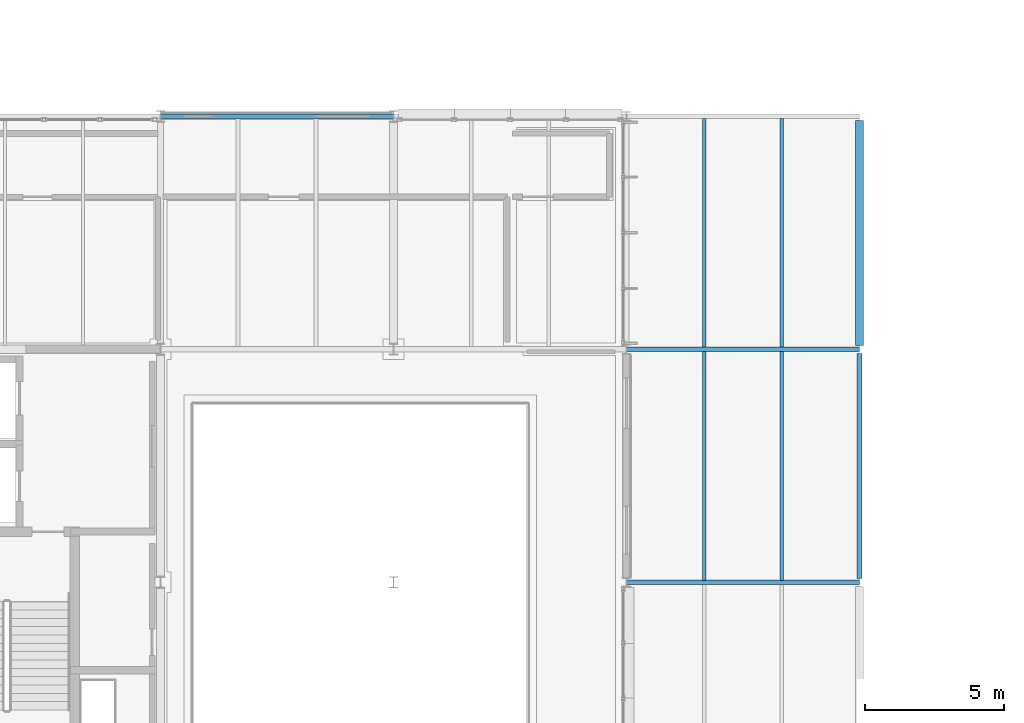
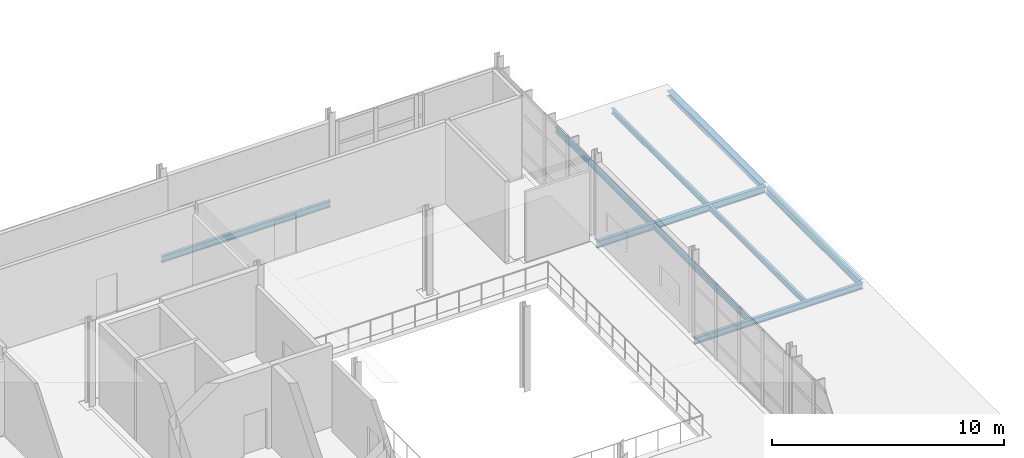
# One storey, part 62 of 129: 9 beams.
"""IFC4 building model written with IfcOpenShell, lengths in metres."""

import ifcopenshell
import ifcopenshell.guid

model = None  # the IFC model being written
_history = None  # IfcOwnerHistory: only IFC2X3 demands one
_inside = {}  # id of a spatial element -> (the spatial element, [elements in it])
_under = {}  # id of a project, library or spatial element -> (it, [spatial elements below it])
_declared = {}  # id of a project -> (the project, [libraries it declares])
_typed = {}  # id of a type object -> (the type object, [elements of that type])
_made_of = {}  # id of a material, layer set ... -> (it, [elements and type objects made of it])


def new_model(schema):
    """Start an empty IFC model of exactly this schema.

    Asked for "IFC4X3", IfcOpenShell would pick the latest addendum, in which some entities
    have other attributes; the version numbers below select the first issue.
    IFC2X3 requires an IfcOwnerHistory on every rooted entity: one is made here for all.
    """
    global model, _history
    if schema == "IFC4X3":
        model = ifcopenshell.file(schema_version=(4, 3, 0, 0))
    else:
        model = ifcopenshell.file(schema=schema)
    _inside.clear()
    _under.clear()
    _declared.clear()
    _typed.clear()
    _made_of.clear()
    _history = None
    if model.schema == "IFC2X3":
        org = make("IfcOrganization", Name="unknown")
        user = make(
            "IfcPersonAndOrganization",
            ThePerson=make("IfcPerson", FamilyName="unknown"),
            TheOrganization=org,
        )
        app = make(
            "IfcApplication",
            ApplicationDeveloper=org,
            Version="unknown",
            ApplicationFullName="unknown",
            ApplicationIdentifier="unknown",
        )
        _history = make(
            "IfcOwnerHistory",
            OwningUser=user,
            OwningApplication=app,
            ChangeAction="ADDED",
            CreationDate=0,
        )
    return model


def make(cls, **values):
    """One entity of the class cls with the attributes given. An attribute that is None is left unset."""
    return model.create_entity(
        cls, **{name: value for name, value in values.items() if value is not None}
    )


def rooted(cls, **values):
    """An entity with a GlobalId (a new one), such as an element, a storey or a relation."""
    return make(cls, GlobalId=ifcopenshell.guid.new(), OwnerHistory=_history, **values)


def si_unit(unit_type, name, prefix=None):
    """IfcSIUnit, for example si_unit("LENGTHUNIT", "METRE", prefix="MILLI")."""
    return make("IfcSIUnit", UnitType=unit_type, Prefix=prefix, Name=name)


def assignment(units):
    """IfcUnitAssignment: the units of a project."""
    return None if units is None else make("IfcUnitAssignment", Units=units)


def point(xyz):
    """IfcCartesianPoint."""
    return None if xyz is None else make("IfcCartesianPoint", Coordinates=xyz)


def direction(xyz):
    """IfcDirection."""
    return None if xyz is None else make("IfcDirection", DirectionRatios=xyz)


def frame(location, z_axis=None, x_axis=None):
    """IfcAxis2Placement3D, a coordinate frame: its origin and axes. An axis left out is left unset."""
    return make(
        "IfcAxis2Placement3D",
        Location=point(location),
        Axis=direction(z_axis),
        RefDirection=direction(x_axis),
    )


def frame_2d(location, x_axis=None):
    """IfcAxis2Placement2D, a coordinate frame in the plane: its origin and x axis."""
    return make(
        "IfcAxis2Placement2D", Location=point(location), RefDirection=direction(x_axis)
    )


def origin():
    """The frame at (0, 0, 0) with its axes left unset."""
    return frame((0.0, 0.0, 0.0))


def origin_2d():
    """The frame at (0, 0) in the plane with its x axis left unset."""
    return frame_2d((0.0, 0.0))


def place(relative_to, where):
    """IfcLocalPlacement: puts the frame where relative to a parent placement (None: the world)."""
    return make(
        "IfcLocalPlacement", PlacementRelTo=relative_to, RelativePlacement=where
    )


def context(
    kind, dimensions, precision=None, world=None, true_north=None, identifier=None
):
    """IfcGeometricRepresentationContext, for example the 3D "Model" context."""
    return make(
        "IfcGeometricRepresentationContext",
        ContextIdentifier=identifier,
        ContextType=kind,
        CoordinateSpaceDimension=dimensions,
        Precision=precision,
        WorldCoordinateSystem=world,
        TrueNorth=true_north,
    )


def subcontext(parent, identifier, kind, view, scale=None):
    """IfcGeometricRepresentationSubContext, for example "Body" below "Model"."""
    return make(
        "IfcGeometricRepresentationSubContext",
        ContextIdentifier=identifier,
        ContextType=kind,
        ParentContext=parent,
        TargetScale=scale,
        TargetView=view,
    )


def project(units=None, contexts=None):
    """IfcProject with its units and contexts."""
    return rooted(
        "IfcProject",
        Name="project",
        RepresentationContexts=contexts,
        UnitsInContext=assignment(units),
    )


def spatial(cls, under=None, at=None, **own):
    """A site, building, storey or space (cls), placed at a placement, below another one or the project."""
    s = rooted(cls, ObjectPlacement=at, **own)
    if under is not None:
        _under.setdefault(under.id(), (under, []))[1].append(s)
    return s


def profile(cls, at=None, kind="AREA", **sizes):
    """A parametric profile (cls). Its sizes go by their IFC names, for example OverallWidth=200.0."""
    return make(cls, ProfileType=kind, Position=at, **sizes)


def i_section(**sizes):
    """IfcIShapeProfileDef."""
    return profile("IfcIShapeProfileDef", **sizes)


def extrude(swept, where, along, depth):
    """IfcExtrudedAreaSolid: the profile swept, set in the frame where, extruded along a direction by depth."""
    return make(
        "IfcExtrudedAreaSolid",
        SweptArea=swept,
        Position=where,
        ExtrudedDirection=direction(along),
        Depth=depth,
    )


def shape(context_of_items, identifier, shape_type, items):
    """IfcShapeRepresentation: the items that make up one representation, for example the "Body"."""
    return make(
        "IfcShapeRepresentation",
        ContextOfItems=context_of_items,
        RepresentationIdentifier=identifier,
        RepresentationType=shape_type,
        Items=items,
    )


def material(Name=None, Category=None):
    """IfcMaterial."""
    return make("IfcMaterial", Name=Name, Category=Category)


def material_profile(
    of_material, cross_section, Name=None, Category=None, Priority=None
):
    """IfcMaterialProfile: a cross section and its material."""
    return make(
        "IfcMaterialProfile",
        Name=Name,
        Material=of_material,
        Profile=cross_section,
        Priority=Priority,
        Category=Category,
    )


def profile_set(profiles, Name=None, composite=None):
    """IfcMaterialProfileSet."""
    return make(
        "IfcMaterialProfileSet",
        Name=Name,
        MaterialProfiles=profiles,
        CompositeProfile=composite,
    )


def made_of(thing, what):
    """Note that an element or type object is made of a material, layer set ...; save() writes the relation."""
    if what is not None:
        _made_of.setdefault(what.id(), (what, []))[1].append(thing)
    return thing


def type_object(cls, material=None, **own):
    """A type object (cls), such as IfcWallType, which elements share."""
    return made_of(rooted(cls, **own), material)


def element(
    cls,
    number,
    at=None,
    inside=None,
    cuts=None,
    type_object=None,
    material=None,
    context=None,
    identifier="Body",
    shape_type=None,
    held_by="IfcProductDefinitionShape",
    body=None,
    shapes=None,
    **own,
):
    """One element of the class cls, such as IfcWall. Its Tag is "e" and its number.

    at: its placement. inside: the storey or other place that contains it. cuts: it is an
    opening in that element (IfcRelVoidsElement). A single representation is given by context,
    identifier, shape_type and body (its items); several are given by shapes. held_by: the class
    of the entity that holds the representations. save() writes the other relations.
    """
    e = rooted(cls, Tag="e%d" % number, ObjectPlacement=at, **own)
    if body is not None:
        shapes = [shape(context, identifier, shape_type, body)]
    if shapes is not None:
        e.Representation = make(held_by, Representations=shapes)
    if inside is not None:
        _inside.setdefault(inside.id(), (inside, []))[1].append(e)
    if cuts is not None:
        rooted(
            "IfcRelVoidsElement", RelatingBuildingElement=cuts, RelatedOpeningElement=e
        )
    if type_object is not None:
        _typed.setdefault(type_object.id(), (type_object, []))[1].append(e)
    return made_of(e, material)


def aggregate(whole, parts):
    """IfcRelAggregates: a whole, such as a stair, and the parts it consists of."""
    return rooted("IfcRelAggregates", RelatingObject=whole, RelatedObjects=parts)


def save(model, path):
    """Write the relations noted so far, then the file.

    IfcRelAggregates (storeys below a building ...), IfcRelContainedInSpatialStructure (elements
    in a storey), IfcRelDefinesByType, IfcRelAssociatesMaterial and IfcRelDeclares: one each for
    every whole, place, type object, material and project.
    """
    for whole, parts in _under.values():
        aggregate(whole, parts)
    for where, things in _inside.values():
        rooted(
            "IfcRelContainedInSpatialStructure",
            RelatedElements=things,
            RelatingStructure=where,
        )
    for kind, things in _typed.values():
        rooted("IfcRelDefinesByType", RelatedObjects=things, RelatingType=kind)
    for what, things in _made_of.values():
        rooted("IfcRelAssociatesMaterial", RelatedObjects=things, RelatingMaterial=what)
    for by, libraries in _declared.values():
        rooted("IfcRelDeclares", RelatingContext=by, RelatedDefinitions=libraries)
    model.write(path)


model = new_model("IFC4")

# Units and contexts
model_context = context("Model", 3, precision=1e-05, world=origin(), true_north=direction((0.0, 1.0)))
body_context = subcontext(model_context, "Body", "Model", "MODEL_VIEW")
ifc_project = project(units=[si_unit("LENGTHUNIT", "METRE"), si_unit("AREAUNIT", "SQUARE_METRE"), si_unit("VOLUMEUNIT", "CUBIC_METRE"), si_unit("PLANEANGLEUNIT", "RADIAN"), si_unit("MASSUNIT", "GRAM", prefix="KILO")], contexts=[model_context])

# Site, building, storey
site_placement = place(None, origin())
site = spatial("IfcSite", under=ifc_project, at=site_placement, CompositionType="ELEMENT")
building_placement = place(site_placement, origin())
building = spatial("IfcBuilding", under=site, at=building_placement, Name="Mersafa Astral City Hall", CompositionType="ELEMENT")
storey_placement = place(building_placement, frame((0.0, 0.0, 5.39990234375)))
storey = spatial("IfcBuildingStorey", under=building, at=storey_placement, Name="L01", CompositionType="ELEMENT", Elevation=5.39990234375)

# Beams
ifc_material = material(Name="Steel S355", Category="steel")
ifc_material_profile_1 = material_profile(ifc_material, i_section(OverallWidth=0.135009765625, OverallDepth=0.27001953125, WebThickness=0.006591796875, FlangeThickness=0.01025390625, FilletRadius=0.014892578125, at=origin_2d()), Name="IPE 270")
ifc_profile_set_1 = profile_set([ifc_material_profile_1], Name="Steel S355")
beam_type_1 = type_object("IfcBeamType", Name="STR-BM-JOIST-IPE270", PredefinedType="JOIST", material=ifc_profile_set_1)
for number, where, z_axis, x_axis, name in (
    (1, (145.60009765625, 16.875, -0.35986328125), (0.0, 1.0, 0.0), (-1.0, 0.0, 0.0), "L01 Flat roof secondary joist 43"),
    (2, (148.39990234375, 16.875, -0.35986328125), (0.0, 1.0, 0.0), (-1.0, 0.0, 0.0), "L01 Flat roof secondary joist 44"),
):
    element("IfcBeam", number, at=place(storey_placement, frame(where, z_axis=z_axis, x_axis=x_axis)), inside=storey, type_object=beam_type_1, Name=name, PredefinedType="JOIST", context=body_context, shape_type="SweptSolid", body=[
        extrude(i_section(OverallWidth=0.135009765625, OverallDepth=0.27001953125, WebThickness=0.006591796875, FlangeThickness=0.01025390625, FilletRadius=0.014892578125, at=origin_2d()), origin(), (0.0, 0.0, 1.0), 8.2451171875),
    ])
for number, where, z_axis, x_axis, name in (
    (3, (145.60009765625, 25.280029296875, -0.35986328125), (0.0, 1.0, 0.0), (-1.0, 0.0, 0.0), "L01 Flat roof secondary joist 45"),
    (4, (148.39990234375, 25.280029296875, -0.35986328125), (0.0, 1.0, 0.0), (-1.0, 0.0, 0.0), "L01 Flat roof secondary joist 46"),
):
    element("IfcBeam", number, at=place(storey_placement, frame(where, z_axis=z_axis, x_axis=x_axis)), inside=storey, type_object=beam_type_1, Name=name, PredefinedType="JOIST", context=body_context, shape_type="SweptSolid", body=[
        extrude(i_section(OverallWidth=0.135009765625, OverallDepth=0.27001953125, WebThickness=0.006591796875, FlangeThickness=0.01025390625, FilletRadius=0.014892578125, at=origin_2d()), origin(), (0.0, 0.0, 1.0), 8.244873046875),
    ])
ifc_material_profile_2 = material_profile(ifc_material, i_section(OverallWidth=0.280029296875, OverallDepth=0.27001953125, WebThickness=0.008056640625, FlangeThickness=0.012939453125, FilletRadius=0.02392578125, at=origin_2d()), Name="HEA 280")
ifc_profile_set_2 = profile_set([ifc_material_profile_2], Name="Steel S355")
beam_type_2 = type_object("IfcBeamType", Name="STR-BM-SPANDREL-HEA280", PredefinedType="SPANDREL", material=ifc_profile_set_2)
beam_1_placement = place(storey_placement, frame((151.199951171875, 25.344970703125, -0.35986328125), z_axis=(0.0, 1.0, 0.0), x_axis=(-1.0, 0.0, 0.0)))
element("IfcBeam", 5, at=beam_1_placement, inside=storey, type_object=beam_type_2, Name="L01 Primary girder Y 18-3", PredefinedType="SPANDREL", context=body_context, shape_type="SweptSolid", body=[
    extrude(i_section(OverallWidth=0.280029296875, OverallDepth=0.27001953125, WebThickness=0.008056640625, FlangeThickness=0.012939453125, FilletRadius=0.02392578125, at=origin_2d()), origin(), (0.0, 0.0, 1.0), 8.110107421875),
])
ifc_material_profile_3 = material_profile(ifc_material, i_section(OverallWidth=0.159912109375, OverallDepth=0.330078125, WebThickness=0.007568359375, FlangeThickness=0.011474609375, FilletRadius=0.01806640625, at=origin_2d()), Name="IPE 330")
ifc_profile_set_3 = profile_set([ifc_material_profile_3], Name="Steel S355")
beam_type_3 = type_object("IfcBeamType", Name="STR-BM-SPANDREL-IPE330", PredefinedType="SPANDREL", material=ifc_profile_set_3)
for number, where, z_axis, x_axis, name in (
    (6, (142.802978515625, 16.800048828125, -0.389892578125), (1.0, 0.0, 0.0), (0.0, 1.0, 0.0), "L01 Primary girder X 17-2"),
    (7, (126.0029296875, 33.60009765625, -0.389892578125), (1.0, 0.0, 0.0), (0.0, 1.0, 0.0), "L01 Primary girder X 15-4"),
):
    element("IfcBeam", number, at=place(storey_placement, frame(where, z_axis=z_axis, x_axis=x_axis)), inside=storey, type_object=beam_type_3, Name=name, PredefinedType="SPANDREL", context=body_context, shape_type="SweptSolid", body=[
        extrude(i_section(OverallWidth=0.159912109375, OverallDepth=0.330078125, WebThickness=0.007568359375, FlangeThickness=0.011474609375, FilletRadius=0.01806640625, at=origin_2d()), origin(), (0.0, 0.0, 1.0), 8.39404296875),
    ])
ifc_material_profile_4 = material_profile(ifc_material, i_section(OverallWidth=0.169921875, OverallDepth=0.360107421875, WebThickness=0.008056640625, FlangeThickness=0.0126953125, FilletRadius=0.01806640625, at=origin_2d()), Name="IPE 360")
ifc_profile_set_4 = profile_set([ifc_material_profile_4], Name="Steel S355")
beam_type_4 = type_object("IfcBeamType", Name="STR-BM-SPANDREL-IPE360", PredefinedType="SPANDREL", material=ifc_profile_set_4)
beam_2_placement = place(storey_placement, frame((142.802978515625, 25.199951171875, -0.40478515625), z_axis=(1.0, 0.0, 0.0), x_axis=(0.0, 1.0, 0.0)))
element("IfcBeam", 8, at=beam_2_placement, inside=storey, type_object=beam_type_4, Name="L01 Primary girder X 17-3", PredefinedType="SPANDREL", context=body_context, shape_type="SweptSolid", body=[
    extrude(i_section(OverallWidth=0.169921875, OverallDepth=0.360107421875, WebThickness=0.008056640625, FlangeThickness=0.0126953125, FilletRadius=0.01806640625, at=origin_2d()), origin(), (0.0, 0.0, 1.0), 8.39404296875),
])
beam_3_placement = place(storey_placement, frame((151.199951171875, 16.945068359375, -0.40478515625), z_axis=(0.0, 1.0, 0.0), x_axis=(-1.0, 0.0, 0.0)))
element("IfcBeam", 9, at=beam_3_placement, inside=storey, type_object=beam_type_4, Name="L01 Primary girder Y 18-2", PredefinedType="SPANDREL", context=body_context, shape_type="SweptSolid", body=[
    extrude(i_section(OverallWidth=0.169921875, OverallDepth=0.360107421875, WebThickness=0.008056640625, FlangeThickness=0.0126953125, FilletRadius=0.01806640625, at=origin_2d()), origin(), (0.0, 0.0, 1.0), 8.10986328125),
])

save(model, "model.ifc")
